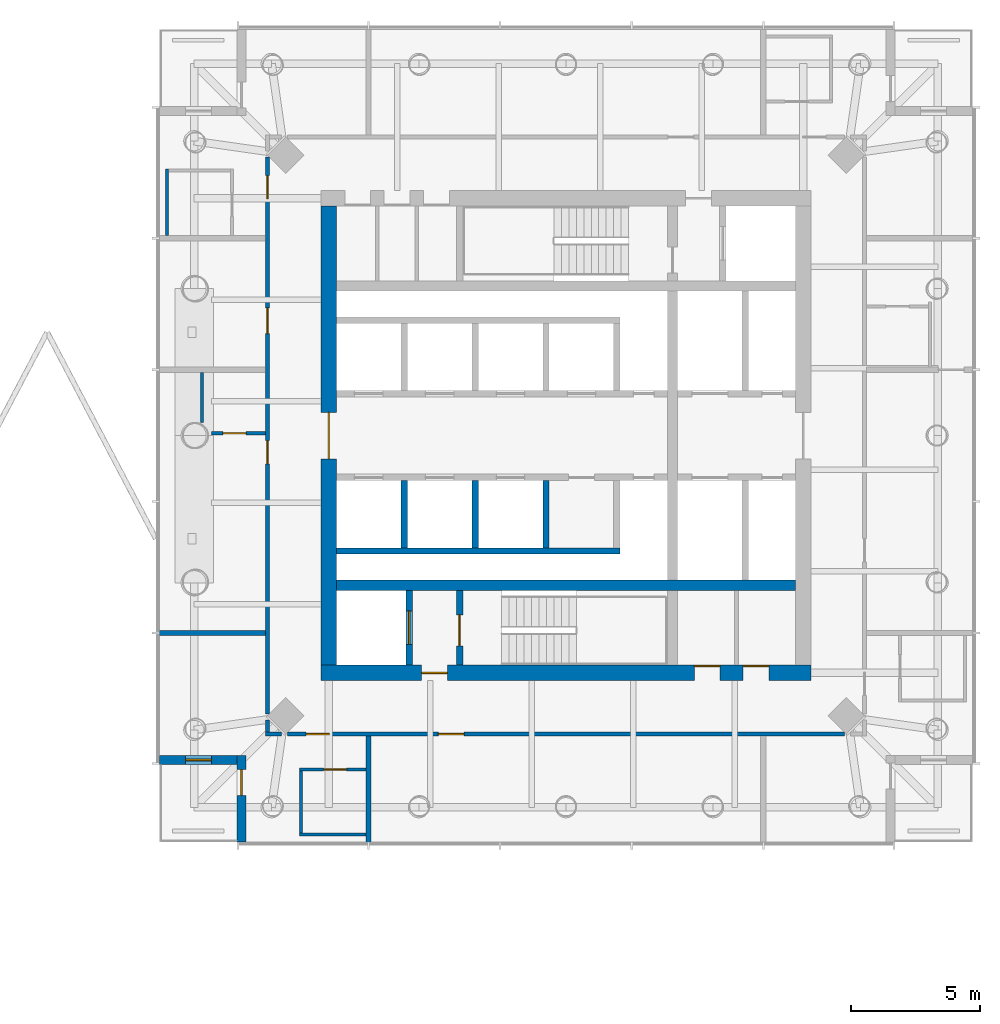
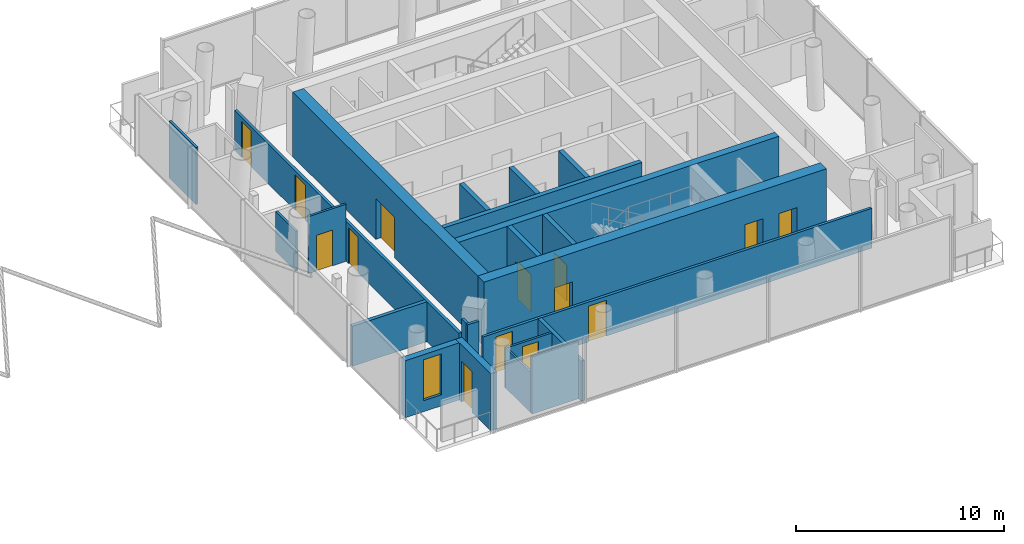
# One storey, part 13 of 19: 23 walls, 14 doors, 1 window, 15 openings.
"""IFC4 building model written with IfcOpenShell, lengths in metres."""

from ifc_helpers import new_model, si_unit, direction, frame, frame_2d, origin, place, context, subcontext, project, spatial, rectangle, extrude, material, layer, layer_set, type_object, element, fill, save


model = new_model("IFC4")

# Units and contexts
model_context = context("Model", 3, precision=1e-05, world=origin(), true_north=direction((0.0, 1.0)))
body_context = subcontext(model_context, "Body", "Model", "MODEL_VIEW")
ifc_project = project(units=[si_unit("LENGTHUNIT", "METRE"), si_unit("AREAUNIT", "SQUARE_METRE"), si_unit("VOLUMEUNIT", "CUBIC_METRE"), si_unit("PLANEANGLEUNIT", "RADIAN"), si_unit("MASSUNIT", "GRAM", prefix="KILO")], contexts=[model_context])

# Site, building, storey
site_placement = place(None, origin())
site = spatial("IfcSite", under=ifc_project, at=site_placement, CompositionType="ELEMENT")
building_placement = place(site_placement, origin())
building = spatial("IfcBuilding", under=site, at=building_placement, Name="Ostroluk Exchange", CompositionType="ELEMENT")
storey_placement = place(building_placement, frame((0.0, 0.0, 127.39990234375)))
storey = spatial("IfcBuildingStorey", under=building, at=storey_placement, Name="L32", CompositionType="ELEMENT", Elevation=127.39990234375)

# Wall
ifc_material_1 = material(Name="Concrete C50/60", Category="concrete")
ifc_layer_1 = layer(ifc_material_1, 0.39990234375)
ifc_layer_set_1 = layer_set([ifc_layer_1], Name="Core cross wall 400 C50/60")
wall_type_1 = type_object("IfcWallType", Name="Core cross wall 400 C50/60", PredefinedType="SHEAR", material=ifc_layer_set_1)
wall_1_placement = place(storey_placement, frame((108.10009765625, 40.199951171875, 0.0), z_axis=(0.0, 0.0, 1.0), x_axis=(1.0, 0.0, 0.0)))
element("IfcWall", 1, at=wall_1_placement, inside=storey, type_object=wall_type_1, Name="T2 core wall XS", PredefinedType="SHEAR", context=body_context, shape_type="SweptSolid", body=[
    extrude(rectangle(XDim=17.7998046875, YDim=0.39990234375, at=frame_2d((8.89990234375, 0.0))), origin(), (0.0, 0.0, 1.0), 3.800048828125),
])

# Wall, opening, door
ifc_material_2 = material(Name="Concrete C40/50", Category="concrete")
ifc_layer_2 = layer(ifc_material_2, 0.25)
ifc_layer_set_2 = layer_set([ifc_layer_2], Name="Core shaft wall 250")
wall_type_2 = type_object("IfcWallType", Name="Core shaft wall 250", PredefinedType="SHEAR", material=ifc_layer_set_2)
wall_2_placement = place(storey_placement, frame((110.925048828125, 37.10009765625, 0.0), z_axis=(0.0, 0.0, 1.0), x_axis=(0.0, 1.0, 0.0)))
wall_2 = element("IfcWall", 2, at=wall_2_placement, inside=storey, type_object=wall_type_2, Name="Firefighting lift shaft wall", PredefinedType="SHEAR", context=body_context, shape_type="SweptSolid", body=[
    extrude(rectangle(XDim=2.89990234375, YDim=0.25, at=frame_2d((1.449951171875, 0.0))), origin(), (0.0, 0.0, 1.0), 3.800048828125),
])
opening_1_placement = place(wall_2_placement, frame((0.800048828125, 0.0, 0.0)))
opening_1 = element("IfcOpeningElement", 3, at=opening_1_placement, cuts=wall_2, Name="Opening LD2", PredefinedType="OPENING", context=body_context, shape_type="SweptSolid", body=[
    extrude(rectangle(XDim=1.300048828125, YDim=2.199951171875, at=frame_2d((0.64990234375, 1.10009765625))), frame((0.0, 0.135009765625, 0.0), z_axis=(0.0, -1.0, 0.0), x_axis=(1.0, 0.0, 0.0)), (0.0, 0.0, 1.0), 0.27001953125),
])
ifc_material_3 = material(Name="Stainless steel", Category="steel")
door_type_1 = type_object("IfcDoorType", Name="Lift landing door E 60 1300 x 2200", OperationType="DOUBLE_DOOR_SLIDING", PredefinedType="DOOR", material=ifc_material_3)
door_1_placement = place(opening_1_placement, origin())
door_1 = element("IfcDoor", 4, at=door_1_placement, inside=storey, type_object=door_type_1, Name="Lift HF1 landing door", OperationType="DOUBLE_DOOR_SLIDING", OverallHeight=2.199951171875, OverallWidth=1.300048828125, PredefinedType="DOOR", context=body_context, shape_type="SweptSolid", body=[
    extrude(rectangle(XDim=1.300048828125, YDim=2.199951171875, at=frame_2d((0.64990234375, 1.10009765625))), frame((0.0, 0.02490234375, 0.0), z_axis=(0.0, -1.0, 0.0), x_axis=(1.0, 0.0, 0.0)), (0.0, 0.0, 1.0), 0.050048828125),
])
fill(opening_1, door_1)

wall_3_placement = place(storey_placement, frame((112.875, 37.10009765625, 0.0), z_axis=(0.0, 0.0, 1.0), x_axis=(0.0, 1.0, 0.0)))
wall_3 = element("IfcWall", 5, at=wall_3_placement, inside=storey, type_object=wall_type_2, Name="Stair shaft wall", PredefinedType="SHEAR", context=body_context, shape_type="SweptSolid", body=[
    extrude(rectangle(XDim=2.89990234375, YDim=0.25, at=frame_2d((1.449951171875, 0.0))), origin(), (0.0, 0.0, 1.0), 3.800048828125),
])
opening_2_placement = place(wall_3_placement, frame((0.75, 0.0, 0.0)))
opening_2 = element("IfcOpeningElement", 6, at=opening_2_placement, cuts=wall_3, Name="Opening FD60S", PredefinedType="OPENING", context=body_context, shape_type="SweptSolid", body=[
    extrude(rectangle(XDim=1.199951171875, YDim=2.10009765625, at=frame_2d((0.60009765625, 1.050048828125))), frame((0.0, 0.135009765625, 0.0), z_axis=(0.0, -1.0, 0.0), x_axis=(1.0, 0.0, 0.0)), (0.0, 0.0, 1.0), 0.27001953125),
])
ifc_material_4 = material(Name="Steel", Category="steel")
door_type_2 = type_object("IfcDoorType", Name="Stair door EI 60 1200 x 2100", OperationType="SINGLE_SWING_LEFT", PredefinedType="DOOR", material=ifc_material_4)
door_2_placement = place(opening_2_placement, origin())
door_2 = element("IfcDoor", 7, at=door_2_placement, inside=storey, type_object=door_type_2, Name="Stair T2-S1 door", OperationType="SINGLE_SWING_LEFT", OverallHeight=2.10009765625, OverallWidth=1.199951171875, PredefinedType="DOOR", context=body_context, shape_type="SweptSolid", body=[
    extrude(rectangle(XDim=1.199951171875, YDim=2.10009765625, at=frame_2d((0.60009765625, 1.050048828125))), frame((0.0, 0.02490234375, 0.0), z_axis=(0.0, -1.0, 0.0), x_axis=(1.0, 0.0, 0.0)), (0.0, 0.0, 1.0), 0.050048828125),
])
fill(opening_2, door_2)

# Walls
for number, where, z_axis, x_axis, name in (
    (8, (110.72509765625, 44.25, 0.0), (0.0, 0.0, 1.0), (0.0, -1.0, 0.0), "Lift shaft wall"),
    (9, (113.47509765625, 44.25, 0.0), (0.0, 0.0, 1.0), (0.0, -1.0, 0.0), "Lift shaft wall"),
    (10, (116.22509765625, 44.25, 0.0), (0.0, 0.0, 1.0), (0.0, -1.0, 0.0), "Lift shaft wall"),
):
    element("IfcWall", number, at=place(storey_placement, frame(where, z_axis=z_axis, x_axis=x_axis)), inside=storey, type_object=wall_type_2, Name=name, PredefinedType="SHEAR", context=body_context, shape_type="SweptSolid", body=[
        extrude(rectangle(XDim=2.60009765625, YDim=0.25, at=frame_2d((1.300048828125, 0.0))), origin(), (0.0, 0.0, 1.0), 3.800048828125),
    ])
wall_4_placement = place(storey_placement, frame((108.10009765625, 41.52490234375, 0.0), z_axis=(0.0, 0.0, 1.0), x_axis=(1.0, 0.0, 0.0)))
element("IfcWall", 11, at=wall_4_placement, inside=storey, type_object=wall_type_2, Name="Lift shaft wall", PredefinedType="SHEAR", context=body_context, shape_type="SweptSolid", body=[
    extrude(rectangle(XDim=11.0, YDim=0.25, at=frame_2d((5.5, 0.0))), origin(), (0.0, 0.0, 1.0), 3.800048828125),
])

# Wall, openings, doors
ifc_material_5 = material(Name="Concrete C50/60", Category="concrete")
ifc_layer_3 = layer(ifc_material_5, 0.60009765625)
ifc_layer_set_3 = layer_set([ifc_layer_3], Name="Core wall 600 C50/60")
wall_type_3 = type_object("IfcWallType", Name="Core wall 600 C50/60", PredefinedType="SHEAR", material=ifc_layer_set_3)
wall_5_placement = place(storey_placement, frame((107.5, 36.800048828125, 0.0), z_axis=(0.0, 0.0, 1.0), x_axis=(1.0, 0.0, 0.0)))
wall_5 = element("IfcWall", 12, at=wall_5_placement, inside=storey, type_object=wall_type_3, Name="T2 core wall S", PredefinedType="SHEAR", context=body_context, shape_type="SweptSolid", body=[
    extrude(rectangle(XDim=19.0, YDim=0.60009765625, at=frame_2d((9.5, 0.0))), origin(), (0.0, 0.0, 1.0), 3.800048828125),
])
opening_3_placement = place(wall_5_placement, frame((3.89990234375, 0.0, 0.0)))
opening_3 = element("IfcOpeningElement", 13, at=opening_3_placement, cuts=wall_5, Name="Opening FD60", PredefinedType="OPENING", context=body_context, shape_type="SweptSolid", body=[
    extrude(rectangle(XDim=1.0, YDim=2.10009765625, at=frame_2d((0.5, 1.050048828125))), frame((0.0, 0.31005859375, 0.0), z_axis=(0.0, -1.0, 0.0), x_axis=(1.0, 0.0, 0.0)), (0.0, 0.0, 1.0), 0.6201171875),
])
opening_4_placement = place(wall_5_placement, frame((14.472412109375, 0.0, 0.0)))
opening_4 = element("IfcOpeningElement", 14, at=opening_4_placement, cuts=wall_5, Name="Opening FD60", PredefinedType="OPENING", context=body_context, shape_type="SweptSolid", body=[
    extrude(rectangle(XDim=1.0, YDim=2.10009765625, at=frame_2d((0.5, 1.050048828125))), frame((0.0, 0.31005859375, 0.0), z_axis=(0.0, -1.0, 0.0), x_axis=(1.0, 0.0, 0.0)), (0.0, 0.0, 1.0), 0.6201171875),
])
opening_5_placement = place(wall_5_placement, frame((16.364990234375, 0.0, 0.0)))
opening_5 = element("IfcOpeningElement", 15, at=opening_5_placement, cuts=wall_5, Name="Opening FD60", PredefinedType="OPENING", context=body_context, shape_type="SweptSolid", body=[
    extrude(rectangle(XDim=1.0, YDim=2.10009765625, at=frame_2d((0.5, 1.050048828125))), frame((0.0, 0.31005859375, 0.0), z_axis=(0.0, -1.0, 0.0), x_axis=(1.0, 0.0, 0.0)), (0.0, 0.0, 1.0), 0.6201171875),
])
ifc_material_6 = material(Name="Steel", Category="steel")
door_type_3 = type_object("IfcDoorType", Name="Fire door EI 60 1000 x 2100", OperationType="SINGLE_SWING_LEFT", PredefinedType="DOOR", material=ifc_material_6)
door_3_placement = place(opening_3_placement, origin())
door_3 = element("IfcDoor", 16, at=door_3_placement, inside=storey, type_object=door_type_3, Name="Firefighting lobby door", OperationType="SINGLE_SWING_LEFT", OverallHeight=2.10009765625, OverallWidth=1.0, PredefinedType="DOOR", context=body_context, shape_type="SweptSolid", body=[
    extrude(rectangle(XDim=1.0, YDim=2.10009765625, at=frame_2d((0.5, 1.050048828125))), frame((0.0, 0.02490234375, 0.0), z_axis=(0.0, -1.0, 0.0), x_axis=(1.0, 0.0, 0.0)), (0.0, 0.0, 1.0), 0.050048828125),
])
fill(opening_3, door_3)
door_4_placement = place(opening_4_placement, origin())
door_4 = element("IfcDoor", 17, at=door_4_placement, inside=storey, type_object=door_type_3, Name="Ice and vending room door", OperationType="SINGLE_SWING_RIGHT", OverallHeight=2.10009765625, OverallWidth=1.0, PredefinedType="DOOR", context=body_context, shape_type="SweptSolid", body=[
    extrude(rectangle(XDim=1.0, YDim=2.10009765625, at=frame_2d((0.5, 1.050048828125))), frame((0.0, 0.2900390625, 0.0), z_axis=(0.0, -1.0, 0.0), x_axis=(1.0, 0.0, 0.0)), (0.0, 0.0, 1.0), 0.050048828125),
])
fill(opening_4, door_4)
door_5_placement = place(opening_5_placement, origin())
door_5 = element("IfcDoor", 18, at=door_5_placement, inside=storey, type_object=door_type_3, Name="Room-service pantry door", OperationType="SINGLE_SWING_RIGHT", OverallHeight=2.10009765625, OverallWidth=1.0, PredefinedType="DOOR", context=body_context, shape_type="SweptSolid", body=[
    extrude(rectangle(XDim=1.0, YDim=2.10009765625, at=frame_2d((0.5, 1.050048828125))), frame((0.0, 0.2900390625, 0.0), z_axis=(0.0, -1.0, 0.0), x_axis=(1.0, 0.0, 0.0)), (0.0, 0.0, 1.0), 0.050048828125),
])
fill(opening_5, door_5)

# Wall, opening, door
wall_6_placement = place(storey_placement, frame((107.800048828125, 37.10009765625, 0.0), z_axis=(0.0, 0.0, 1.0), x_axis=(0.0, 1.0, 0.0)))
wall_6 = element("IfcWall", 19, at=wall_6_placement, inside=storey, type_object=wall_type_3, Name="T2 core wall W", PredefinedType="SHEAR", context=body_context, shape_type="SweptSolid", body=[
    extrude(rectangle(XDim=17.7998046875, YDim=0.60009765625, at=frame_2d((8.89990234375, 0.0))), origin(), (0.0, 0.0, 1.0), 3.800048828125),
])
opening_6_placement = place(wall_6_placement, frame((8.0, 0.0, 0.0)))
opening_6 = element("IfcOpeningElement", 20, at=opening_6_placement, cuts=wall_6, Name="Opening FD30D", PredefinedType="OPENING", context=body_context, shape_type="SweptSolid", body=[
    extrude(rectangle(XDim=1.800048828125, YDim=2.39990234375, at=frame_2d((0.89990234375, 1.199951171875))), frame((0.0, 0.31005859375, 0.0), z_axis=(0.0, -1.0, 0.0), x_axis=(1.0, 0.0, 0.0)), (0.0, 0.0, 1.0), 0.6201171875),
])
ifc_material_7 = material(Name="Timber", Category="wood")
door_type_4 = type_object("IfcDoorType", Name="Lobby double door EI 30 1800 x 2400", OperationType="DOUBLE_DOOR_SINGLE_SWING", PredefinedType="DOOR", material=ifc_material_7)
door_6_placement = place(opening_6_placement, origin())
door_6 = element("IfcDoor", 21, at=door_6_placement, inside=storey, type_object=door_type_4, Name="Lift lobby doors", OperationType="DOUBLE_DOOR_SINGLE_SWING", OverallHeight=2.39990234375, OverallWidth=1.800048828125, PredefinedType="DOOR", context=body_context, shape_type="SweptSolid", body=[
    extrude(rectangle(XDim=1.800048828125, YDim=2.39990234375, at=frame_2d((0.89990234375, 1.199951171875))), frame((0.0, 0.02490234375, 0.0), z_axis=(0.0, -1.0, 0.0), x_axis=(1.0, 0.0, 0.0)), (0.0, 0.0, 1.0), 0.050048828125),
])
fill(opening_6, door_6)

ifc_material_8 = material(Name="Limestone", Category="masonry")
ifc_layer_4 = layer(ifc_material_8, 0.35009765625)
ifc_layer_set_4 = layer_set([ifc_layer_4], Name="Limestone facade wall 350")
wall_type_4 = type_object("IfcWallType", Name="Limestone facade wall 350", PredefinedType="SOLIDWALL", material=ifc_layer_set_4)
wall_7_placement = place(storey_placement, frame((104.425048828125, 30.25, 0.0), z_axis=(0.0, 0.0, 1.0), x_axis=(0.0, 1.0, 0.0)))
wall_7 = element("IfcWall", 22, at=wall_7_placement, inside=storey, type_object=wall_type_4, Name="Hotel tower SW corner wall L32 a", PredefinedType="SOLIDWALL", context=body_context, shape_type="SweptSolid", body=[
    extrude(rectangle(XDim=3.35009765625, YDim=0.35009765625, at=frame_2d((1.675048828125, 0.0))), origin(), (0.0, 0.0, 1.0), 3.35009765625),
])
opening_7_placement = place(wall_7_placement, frame((1.800048828125, 0.0, 0.0)))
opening_7 = element("IfcOpeningElement", 23, at=opening_7_placement, cuts=wall_7, Name="Opening D-B1", PredefinedType="OPENING", context=body_context, shape_type="SweptSolid", body=[
    extrude(rectangle(XDim=1.0, YDim=2.39990234375, at=frame_2d((0.5, 1.199951171875))), frame((0.0, 0.18505859375, 0.0), z_axis=(0.0, -1.0, 0.0), x_axis=(1.0, 0.0, 0.0)), (0.0, 0.0, 1.0), 0.3701171875),
])
ifc_material_9 = material(Name="Bronze framed glazed door", Category="aluminium")
door_type_5 = type_object("IfcDoorType", Name="Balcony door 1000 x 2400", OperationType="SINGLE_SWING_LEFT", PredefinedType="DOOR", material=ifc_material_9)
door_7_placement = place(opening_7_placement, origin())
door_7 = element("IfcDoor", 24, at=door_7_placement, inside=storey, type_object=door_type_5, Name="Hotel tower SW balcony door L32", OperationType="SINGLE_SWING_RIGHT", OverallHeight=2.39990234375, OverallWidth=1.0, PredefinedType="DOOR", context=body_context, shape_type="SweptSolid", body=[
    extrude(rectangle(XDim=1.0, YDim=2.39990234375, at=frame_2d((0.5, 1.199951171875))), frame((0.0, 0.02490234375, 0.0), z_axis=(0.0, -1.0, 0.0), x_axis=(1.0, 0.0, 0.0)), (0.0, 0.0, 1.0), 0.050048828125),
])
fill(opening_7, door_7)

# Wall, opening, window
wall_8_placement = place(storey_placement, frame((104.25, 33.425048828125, 0.0), z_axis=(0.0, 0.0, 1.0), x_axis=(-1.0, 0.0, 0.0)))
wall_8 = element("IfcWall", 25, at=wall_8_placement, inside=storey, type_object=wall_type_4, Name="Hotel tower SW corner wall L32 b", PredefinedType="SOLIDWALL", context=body_context, shape_type="SweptSolid", body=[
    extrude(rectangle(XDim=3.0, YDim=0.35009765625, at=frame_2d((1.5, 0.0))), origin(), (0.0, 0.0, 1.0), 3.35009765625),
])
opening_8_placement = place(wall_8_placement, frame((1.0, 0.0, 0.64990234375)))
opening_8 = element("IfcOpeningElement", 26, at=opening_8_placement, cuts=wall_8, Name="Opening WN-L3", PredefinedType="OPENING", context=body_context, shape_type="SweptSolid", body=[
    extrude(rectangle(XDim=1.0, YDim=2.39990234375, at=frame_2d((0.5, 1.199951171875))), frame((0.0, 0.18505859375, 0.0), z_axis=(0.0, -1.0, 0.0), x_axis=(1.0, 0.0, 0.0)), (0.0, 0.0, 1.0), 0.3701171875),
])
ifc_material_10 = material(Name="Laminated clear glass", Category="glass")
window_type = type_object("IfcWindowType", Name="Hotel lancet window 1000 x 2400", PartitioningType="SINGLE_PANEL", PredefinedType="WINDOW", material=ifc_material_10)
window_placement = place(opening_8_placement, origin())
window = element("IfcWindow", 27, at=window_placement, inside=storey, type_object=window_type, Name="Hotel tower SW lancet window L32", OverallHeight=2.39990234375, OverallWidth=1.0, PartitioningType="SINGLE_PANEL", PredefinedType="WINDOW", context=body_context, shape_type="SweptSolid", body=[
    extrude(rectangle(XDim=1.0, YDim=2.39990234375, at=frame_2d((0.5, 1.199951171875))), frame((0.0, 0.030029296875, 0.0), z_axis=(0.0, -1.0, 0.0), x_axis=(1.0, 0.0, 0.0)), (0.0, 0.0, 1.0), 0.06005859375),
])
fill(opening_8, window)

# Walls
ifc_material_11 = material(Name="Gypsum plasterboard partition, moisture resistant", Category="gypsum")
ifc_layer_5 = layer(ifc_material_11, 0.1201171875)
ifc_layer_set_5 = layer_set([ifc_layer_5], Name="Plasterboard en-suite wall 120")
wall_type_5 = type_object("IfcWallType", Name="Plasterboard en-suite wall 120", PredefinedType="PARTITIONING", material=ifc_layer_set_5)
wall_9_placement = place(storey_placement, frame((101.530029296875, 53.75, 0.0), z_axis=(0.0, 0.0, 1.0), x_axis=(0.0, 1.0, 0.0)))
element("IfcWall", 28, at=wall_9_placement, inside=storey, type_object=wall_type_5, Name="En-suite wall", PredefinedType="PARTITIONING", context=body_context, shape_type="SweptSolid", body=[
    extrude(rectangle(XDim=2.580078125, YDim=0.1201171875, at=frame_2d((1.2900390625, 0.0))), origin(), (0.0, 0.0, 1.0), 3.35009765625),
])
wall_10_placement = place(storey_placement, frame((102.889892578125, 48.449951171875, 0.0), z_axis=(0.0, 0.0, 1.0), x_axis=(0.0, -1.0, 0.0)))
element("IfcWall", 29, at=wall_10_placement, inside=storey, type_object=wall_type_5, Name="En-suite wall", PredefinedType="PARTITIONING", context=body_context, shape_type="SweptSolid", body=[
    extrude(rectangle(XDim=1.94189453125, YDim=0.1201171875, at=frame_2d((0.970947265625, 0.0))), origin(), (0.0, 0.0, 1.0), 2.35009765625),
])

# Wall, opening, door
wall_11_placement = place(storey_placement, frame((105.35009765625, 46.090087890625, 0.0), z_axis=(0.0, 0.0, 1.0), x_axis=(-1.0, 0.0, 0.0)))
wall_11 = element("IfcWall", 30, at=wall_11_placement, inside=storey, type_object=wall_type_5, Name="En-suite wall", PredefinedType="PARTITIONING", context=body_context, shape_type="SweptSolid", body=[
    extrude(rectangle(XDim=2.092041015625, YDim=0.1201171875, at=frame_2d((1.0458984375, 0.0))), origin(), (0.0, 0.0, 1.0), 3.35009765625),
])
opening_9_placement = place(wall_11_placement, frame((0.75, 0.0, 0.0)))
opening_9 = element("IfcOpeningElement", 31, at=opening_9_placement, cuts=wall_11, Name="Opening D-02", PredefinedType="OPENING", context=body_context, shape_type="SweptSolid", body=[
    extrude(rectangle(XDim=0.89990234375, YDim=2.10009765625, at=frame_2d((0.449951171875, 1.050048828125))), frame((0.0, 0.070068359375, 0.0), z_axis=(0.0, -1.0, 0.0), x_axis=(1.0, 0.0, 0.0)), (0.0, 0.0, 1.0), 0.14013671875),
])
ifc_material_12 = material(Name="Timber", Category="wood")
door_type_6 = type_object("IfcDoorType", Name="En-suite door 900 x 2100", OperationType="SINGLE_SWING_LEFT", PredefinedType="DOOR", material=ifc_material_12)
door_8_placement = place(opening_9_placement, origin())
door_8 = element("IfcDoor", 32, at=door_8_placement, inside=storey, type_object=door_type_6, Name="En-suite door 3206", OperationType="SINGLE_SWING_RIGHT", OverallHeight=2.10009765625, OverallWidth=0.89990234375, PredefinedType="DOOR", context=body_context, shape_type="SweptSolid", body=[
    extrude(rectangle(XDim=0.89990234375, YDim=2.10009765625, at=frame_2d((0.449951171875, 1.050048828125))), frame((0.0, 0.02490234375, 0.0), z_axis=(0.0, -1.0, 0.0), x_axis=(1.0, 0.0, 0.0)), (0.0, 0.0, 1.0), 0.050048828125),
])
fill(opening_9, door_8)

wall_12_placement = place(storey_placement, frame((109.25, 33.050048828125, 0.0), z_axis=(0.0, 0.0, 1.0), x_axis=(-1.0, 0.0, 0.0)))
wall_12 = element("IfcWall", 33, at=wall_12_placement, inside=storey, type_object=wall_type_5, Name="En-suite wall", PredefinedType="PARTITIONING", context=body_context, shape_type="SweptSolid", body=[
    extrude(rectangle(XDim=2.580078125, YDim=0.1201171875, at=frame_2d((1.2900390625, 0.0))), origin(), (0.0, 0.0, 1.0), 2.338134765625),
])
opening_10_placement = place(wall_12_placement, frame((0.75, 0.0, 0.0)))
opening_10 = element("IfcOpeningElement", 34, at=opening_10_placement, cuts=wall_12, Name="Opening D-02", PredefinedType="OPENING", context=body_context, shape_type="SweptSolid", body=[
    extrude(rectangle(XDim=0.89990234375, YDim=2.10009765625, at=frame_2d((0.449951171875, 1.050048828125))), frame((0.0, 0.070068359375, 0.0), z_axis=(0.0, -1.0, 0.0), x_axis=(1.0, 0.0, 0.0)), (0.0, 0.0, 1.0), 0.14013671875),
])
door_9_placement = place(opening_10_placement, origin())
door_9 = element("IfcDoor", 35, at=door_9_placement, inside=storey, type_object=door_type_6, Name="En-suite door 3207", OperationType="SINGLE_SWING_LEFT", OverallHeight=2.10009765625, OverallWidth=0.89990234375, PredefinedType="DOOR", context=body_context, shape_type="SweptSolid", body=[
    extrude(rectangle(XDim=0.89990234375, YDim=2.10009765625, at=frame_2d((0.449951171875, 1.050048828125))), frame((0.0, 0.02490234375, 0.0), z_axis=(0.0, -1.0, 0.0), x_axis=(1.0, 0.0, 0.0)), (0.0, 0.0, 1.0), 0.050048828125),
])
fill(opening_10, door_9)

# Walls
wall_13_placement = place(storey_placement, frame((109.25, 30.530029296875, 0.0), z_axis=(0.0, 0.0, 1.0), x_axis=(-1.0, 0.0, 0.0)))
element("IfcWall", 36, at=wall_13_placement, inside=storey, type_object=wall_type_5, Name="En-suite wall", PredefinedType="PARTITIONING", context=body_context, shape_type="SweptSolid", body=[
    extrude(rectangle(XDim=2.580078125, YDim=0.1201171875, at=frame_2d((1.2900390625, 0.0))), origin(), (0.0, 0.0, 1.0), 3.35009765625),
])
wall_14_placement = place(storey_placement, frame((106.72998046875, 32.989990234375, 0.0), z_axis=(0.0, 0.0, 1.0), x_axis=(0.0, -1.0, 0.0)))
element("IfcWall", 37, at=wall_14_placement, inside=storey, type_object=wall_type_5, Name="En-suite wall", PredefinedType="PARTITIONING", context=body_context, shape_type="SweptSolid", body=[
    extrude(rectangle(XDim=2.39990234375, YDim=0.1201171875, at=frame_2d((1.199951171875, 0.0))), origin(), (0.0, 0.0, 1.0), 2.35009765625),
])

# Wall, openings, doors
ifc_material_13 = material(Name="Gypsum plasterboard partition", Category="gypsum")
ifc_layer_6 = layer(ifc_material_13, 0.14990234375)
ifc_layer_set_6 = layer_set([ifc_layer_6], Name="Plasterboard partition 150")
wall_type_6 = type_object("IfcWallType", Name="Plasterboard partition 150", PredefinedType="PARTITIONING", material=ifc_layer_set_6)
wall_15_placement = place(storey_placement, frame((105.425048828125, 56.79296875, 0.0), z_axis=(0.0, 0.0, 1.0), x_axis=(0.0, -1.0, 0.0)))
wall_15 = element("IfcWall", 38, at=wall_15_placement, inside=storey, type_object=wall_type_6, Name="Corridor wall", PredefinedType="PARTITIONING", context=body_context, shape_type="SweptSolid", body=[
    extrude(rectangle(XDim=21.5859375, YDim=0.14990234375, at=frame_2d((10.79296875, 0.0))), origin(), (0.0, 0.0, 1.0), 2.338134765625),
])
opening_11_placement = place(wall_15_placement, frame((0.7177734375, 0.0, 0.0)))
opening_11 = element("IfcOpeningElement", 39, at=opening_11_placement, cuts=wall_15, Name="Opening D-01", PredefinedType="OPENING", context=body_context, shape_type="SweptSolid", body=[
    extrude(rectangle(XDim=0.89990234375, YDim=2.10009765625, at=frame_2d((0.449951171875, 1.050048828125))), frame((0.0, 0.0849609375, 0.0), z_axis=(0.0, -1.0, 0.0), x_axis=(1.0, 0.0, 0.0)), (0.0, 0.0, 1.0), 0.169921875),
])
opening_12_placement = place(wall_15_placement, frame((5.8427734375, 0.0, 0.0)))
opening_12 = element("IfcOpeningElement", 40, at=opening_12_placement, cuts=wall_15, Name="Opening D-03", PredefinedType="OPENING", context=body_context, shape_type="SweptSolid", body=[
    extrude(rectangle(XDim=1.0, YDim=2.10009765625, at=frame_2d((0.5, 1.050048828125))), frame((0.0, 0.0849609375, 0.0), z_axis=(0.0, -1.0, 0.0), x_axis=(1.0, 0.0, 0.0)), (0.0, 0.0, 1.0), 0.169921875),
])
opening_13_placement = place(wall_15_placement, frame((10.992919921875, 0.0, 0.0)))
opening_13 = element("IfcOpeningElement", 41, at=opening_13_placement, cuts=wall_15, Name="Opening D-01", PredefinedType="OPENING", context=body_context, shape_type="SweptSolid", body=[
    extrude(rectangle(XDim=0.89990234375, YDim=2.10009765625, at=frame_2d((0.449951171875, 1.050048828125))), frame((0.0, 0.0849609375, 0.0), z_axis=(0.0, -1.0, 0.0), x_axis=(1.0, 0.0, 0.0)), (0.0, 0.0, 1.0), 0.169921875),
])
ifc_material_14 = material(Name="Timber", Category="wood")
door_type_7 = type_object("IfcDoorType", Name="Hotel room door EI 30 Sa 900 x 2100", OperationType="SINGLE_SWING_LEFT", PredefinedType="DOOR", material=ifc_material_14)
door_10_placement = place(opening_11_placement, origin())
door_10 = element("IfcDoor", 42, at=door_10_placement, inside=storey, type_object=door_type_7, Name="Room door 3205", OperationType="SINGLE_SWING_RIGHT", OverallHeight=2.10009765625, OverallWidth=0.89990234375, PredefinedType="DOOR", context=body_context, shape_type="SweptSolid", body=[
    extrude(rectangle(XDim=0.89990234375, YDim=2.10009765625, at=frame_2d((0.449951171875, 1.050048828125))), frame((0.0, 0.02490234375, 0.0), z_axis=(0.0, -1.0, 0.0), x_axis=(1.0, 0.0, 0.0)), (0.0, 0.0, 1.0), 0.050048828125),
])
fill(opening_11, door_10)
door_11_placement = place(opening_13_placement, origin())
door_11 = element("IfcDoor", 43, at=door_11_placement, inside=storey, type_object=door_type_7, Name="Room door 3206", OperationType="SINGLE_SWING_RIGHT", OverallHeight=2.10009765625, OverallWidth=0.89990234375, PredefinedType="DOOR", context=body_context, shape_type="SweptSolid", body=[
    extrude(rectangle(XDim=0.89990234375, YDim=2.10009765625, at=frame_2d((0.449951171875, 1.050048828125))), frame((0.0, 0.02490234375, 0.0), z_axis=(0.0, -1.0, 0.0), x_axis=(1.0, 0.0, 0.0)), (0.0, 0.0, 1.0), 0.050048828125),
])
fill(opening_13, door_11)
ifc_material_15 = material(Name="Timber", Category="wood")
door_type_8 = type_object("IfcDoorType", Name="Internal door 1000 x 2100", OperationType="SINGLE_SWING_LEFT", PredefinedType="DOOR", material=ifc_material_15)
door_12_placement = place(opening_12_placement, origin())
door_12 = element("IfcDoor", 44, at=door_12_placement, inside=storey, type_object=door_type_8, Name="Housekeeping store door", OperationType="SINGLE_SWING_LEFT", OverallHeight=2.10009765625, OverallWidth=1.0, PredefinedType="DOOR", context=body_context, shape_type="SweptSolid", body=[
    extrude(rectangle(XDim=1.0, YDim=2.10009765625, at=frame_2d((0.5, 1.050048828125))), frame((0.0, 0.02490234375, 0.0), z_axis=(0.0, -1.0, 0.0), x_axis=(1.0, 0.0, 0.0)), (0.0, 0.0, 1.0), 0.050048828125),
])
fill(opening_12, door_12)

# Walls
wall_16_placement = place(storey_placement, frame((105.425048828125, 34.96533203125, 0.0), z_axis=(0.0, 0.0, 1.0), x_axis=(0.0, -1.0, 0.0)))
element("IfcWall", 45, at=wall_16_placement, inside=storey, type_object=wall_type_6, Name="Corridor wall", PredefinedType="PARTITIONING", context=body_context, shape_type="SweptSolid", body=[
    extrude(rectangle(XDim=0.46533203125, YDim=0.14990234375, at=frame_2d((0.232666015625, 0.0))), origin(), (0.0, 0.0, 1.0), 3.35009765625),
])
wall_17_placement = place(storey_placement, frame((105.35009765625, 34.425048828125, 0.0), z_axis=(0.0, 0.0, 1.0), x_axis=(1.0, 0.0, 0.0)))
element("IfcWall", 46, at=wall_17_placement, inside=storey, type_object=wall_type_6, Name="Corridor wall", PredefinedType="PARTITIONING", context=body_context, shape_type="SweptSolid", body=[
    extrude(rectangle(XDim=0.615234375, YDim=0.14990234375, at=frame_2d((0.3076171875, 0.0))), origin(), (0.0, 0.0, 1.0), 3.35009765625),
])

# Wall, openings, doors
wall_18_placement = place(storey_placement, frame((106.20703125, 34.425048828125, 0.0), z_axis=(0.0, 0.0, 1.0), x_axis=(1.0, 0.0, 0.0)))
wall_18 = element("IfcWall", 47, at=wall_18_placement, inside=storey, type_object=wall_type_6, Name="Corridor wall", PredefinedType="PARTITIONING", context=body_context, shape_type="SweptSolid", body=[
    extrude(rectangle(XDim=21.5859375, YDim=0.14990234375, at=frame_2d((10.79296875, 0.0))), origin(), (0.0, 0.0, 1.0), 2.338134765625),
])
opening_14_placement = place(wall_18_placement, frame((0.7177734375, 0.0, 0.0)))
opening_14 = element("IfcOpeningElement", 48, at=opening_14_placement, cuts=wall_18, Name="Opening D-01", PredefinedType="OPENING", context=body_context, shape_type="SweptSolid", body=[
    extrude(rectangle(XDim=0.89990234375, YDim=2.10009765625, at=frame_2d((0.449951171875, 1.050048828125))), frame((0.0, 0.0849609375, 0.0), z_axis=(0.0, -1.0, 0.0), x_axis=(1.0, 0.0, 0.0)), (0.0, 0.0, 1.0), 0.169921875),
])
opening_15_placement = place(wall_18_placement, frame((5.8427734375, 0.0, 0.0)))
opening_15 = element("IfcOpeningElement", 49, at=opening_15_placement, cuts=wall_18, Name="Opening D-03", PredefinedType="OPENING", context=body_context, shape_type="SweptSolid", body=[
    extrude(rectangle(XDim=1.0, YDim=2.10009765625, at=frame_2d((0.5, 1.050048828125))), frame((0.0, 0.0849609375, 0.0), z_axis=(0.0, -1.0, 0.0), x_axis=(1.0, 0.0, 0.0)), (0.0, 0.0, 1.0), 0.169921875),
])
door_13_placement = place(opening_14_placement, origin())
door_13 = element("IfcDoor", 50, at=door_13_placement, inside=storey, type_object=door_type_7, Name="Room door 3207", OperationType="SINGLE_SWING_RIGHT", OverallHeight=2.10009765625, OverallWidth=0.89990234375, PredefinedType="DOOR", context=body_context, shape_type="SweptSolid", body=[
    extrude(rectangle(XDim=0.89990234375, YDim=2.10009765625, at=frame_2d((0.449951171875, 1.050048828125))), frame((0.0, 0.02490234375, 0.0), z_axis=(0.0, -1.0, 0.0), x_axis=(1.0, 0.0, 0.0)), (0.0, 0.0, 1.0), 0.050048828125),
])
fill(opening_14, door_13)
door_14_placement = place(opening_15_placement, origin())
door_14 = element("IfcDoor", 51, at=door_14_placement, inside=storey, type_object=door_type_8, Name="Guest lounge door", OperationType="SINGLE_SWING_LEFT", OverallHeight=2.10009765625, OverallWidth=1.0, PredefinedType="DOOR", context=body_context, shape_type="SweptSolid", body=[
    extrude(rectangle(XDim=1.0, YDim=2.10009765625, at=frame_2d((0.5, 1.050048828125))), frame((0.0, 0.02490234375, 0.0), z_axis=(0.0, -1.0, 0.0), x_axis=(1.0, 0.0, 0.0)), (0.0, 0.0, 1.0), 0.050048828125),
])
fill(opening_15, door_14)

# Walls
ifc_material_16 = material(Name="Gypsum plasterboard partition", Category="gypsum")
ifc_layer_7 = layer(ifc_material_16, 0.199951171875)
ifc_layer_set_7 = layer_set([ifc_layer_7], Name="Plasterboard party wall 200")
wall_type_7 = type_object("IfcWallType", Name="Plasterboard party wall 200", PredefinedType="PARTITIONING", material=ifc_layer_set_7)
for number, where, z_axis, x_axis, name in (
    (52, (105.35009765625, 38.35009765625, 0.0), (0.0, 0.0, 1.0), (-1.0, 0.0, 0.0), "Party wall"),
    (53, (109.35009765625, 34.35009765625, 0.0), (0.0, 0.0, 1.0), (0.0, -1.0, 0.0), "Party wall"),
):
    element("IfcWall", number, at=place(storey_placement, frame(where, z_axis=z_axis, x_axis=x_axis)), inside=storey, type_object=wall_type_7, Name=name, PredefinedType="PARTITIONING", context=body_context, shape_type="SweptSolid", body=[
        extrude(rectangle(XDim=4.14013671875, YDim=0.199951171875, at=frame_2d((2.070068359375, 0.0))), origin(), (0.0, 0.0, 1.0), 2.35009765625),
    ])

save(model, "model.ifc")
